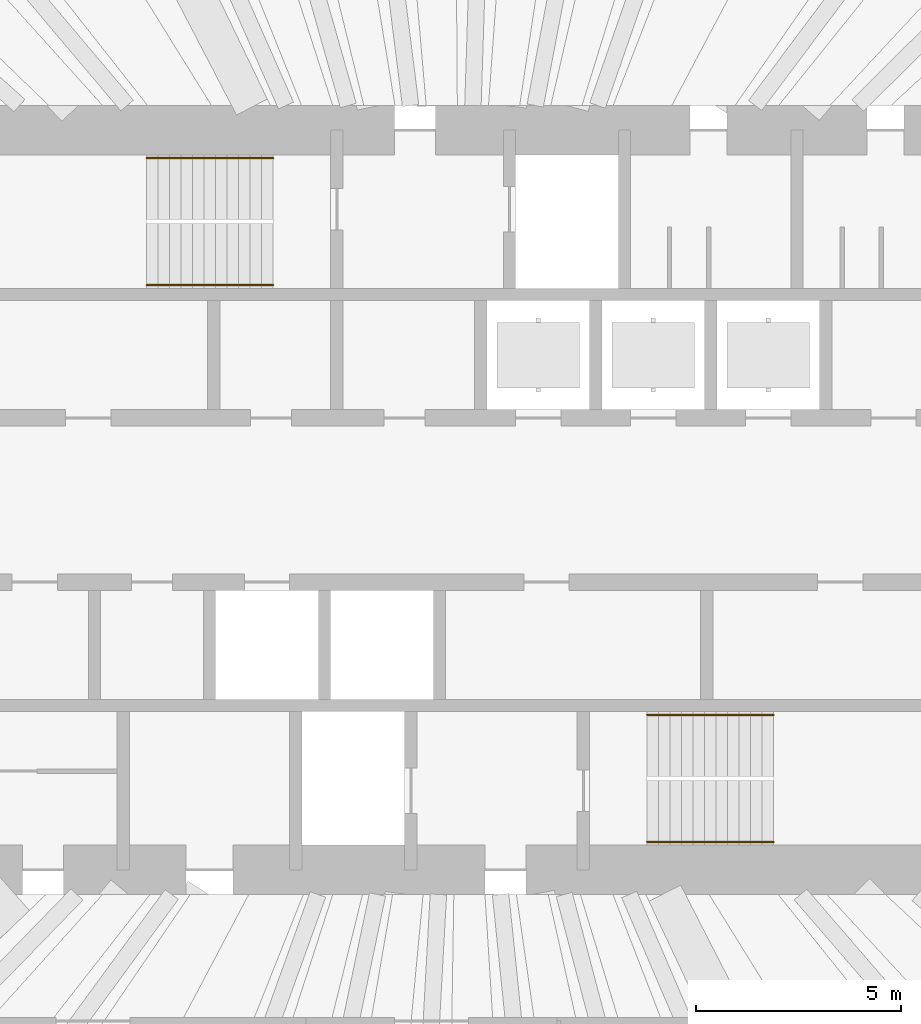
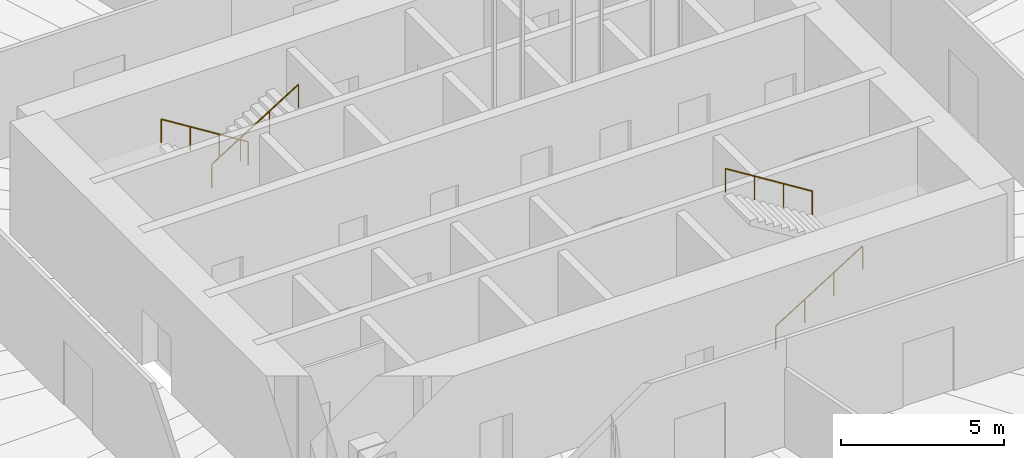
# One storey, part 13 of 20: 4 railings.
"""IFC4 building model written with IfcOpenShell, lengths in metres."""

from ifc_helpers import new_model, si_unit, direction, frame, origin, origin_2d, place, context, subcontext, project, spatial, circle, extrude, material, type_object, element, save


model = new_model("IFC4")

# Units and contexts
model_context = context("Model", 3, precision=1e-05, world=origin(), true_north=direction((0.0, 1.0)))
body_context = subcontext(model_context, "Body", "Model", "MODEL_VIEW")
ifc_project = project(units=[si_unit("LENGTHUNIT", "METRE"), si_unit("AREAUNIT", "SQUARE_METRE"), si_unit("VOLUMEUNIT", "CUBIC_METRE"), si_unit("PLANEANGLEUNIT", "RADIAN"), si_unit("MASSUNIT", "GRAM", prefix="KILO")], contexts=[model_context])

# Site, building, storey
site_placement = place(None, origin())
site = spatial("IfcSite", under=ifc_project, at=site_placement, CompositionType="ELEMENT")
building_placement = place(site_placement, origin())
building = spatial("IfcBuilding", under=site, at=building_placement, Name="Qingtian Harvest Tower", CompositionType="ELEMENT")
storey_placement = place(building_placement, frame((0.0, 0.0, 180.39990234375)))
storey = spatial("IfcBuildingStorey", under=building, at=storey_placement, Name="L38", CompositionType="ELEMENT", Elevation=180.39990234375)

# Railings
ifc_material = material(Name="Stainless steel handrail", Category="steel")
railing_type = type_object("IfcRailingType", Name="Handrail HR1", PredefinedType="HANDRAIL", material=ifc_material)
railing_1_placement = place(storey_placement, frame((-4.550048828125, 8.320068359375, 0.175048828125)))
element("IfcRailing", 1, at=railing_1_placement, inside=storey, type_object=railing_type, Name="Handrail HR1 S1 flight 1", PredefinedType="HANDRAIL", context=body_context, shape_type="SweptSolid", body=[
    extrude(circle(Radius=0.02392578125, at=origin_2d()), frame((0.0, 0.0, 0.8759765625), z_axis=(-0.847979421464, 0.0, 0.530029150871), x_axis=(0.0, -1.0, 0.0)), (0.0, 0.0, 1.0), 3.632080078125),
    extrude(circle(Radius=0.02099609375, at=origin_2d()), origin(), (0.0, 0.0, 1.0), 0.851806640625),
    extrude(circle(Radius=0.02099609375, at=origin_2d()), frame((-1.026611328125, 0.0, 0.6416015625)), (0.0, 0.0, 1.0), 0.851806640625),
    extrude(circle(Radius=0.02099609375, at=origin_2d()), frame((-2.05322265625, 0.0, 1.283447265625)), (0.0, 0.0, 1.0), 0.851806640625),
    extrude(circle(Radius=0.02099609375, at=origin_2d()), frame((-3.079833984375, 0.0, 1.925048828125)), (0.0, 0.0, 1.0), 0.851806640625),
])
for number, where, name in (
    (2, (-7.6298828125, 5.22998046875, 2.275146484375), "Handrail HR1 S1 flight 2"),
    (3, (4.550048828125, -8.320068359375, 0.175048828125), "Handrail HR1 S2 flight 1"),
):
    element("IfcRailing", number, at=place(storey_placement, frame(where)), inside=storey, type_object=railing_type, Name=name, PredefinedType="HANDRAIL", context=body_context, shape_type="SweptSolid", body=[
        extrude(circle(Radius=0.02392578125, at=origin_2d()), frame((0.0, 0.0, 0.8759765625), z_axis=(0.847979421464, 0.0, 0.530029150871), x_axis=(0.0, 1.0, 0.0)), (0.0, 0.0, 1.0), 3.632080078125),
        extrude(circle(Radius=0.02099609375, at=origin_2d()), origin(), (0.0, 0.0, 1.0), 0.851806640625),
        extrude(circle(Radius=0.02099609375, at=origin_2d()), frame((1.026611328125, 0.0, 0.6416015625)), (0.0, 0.0, 1.0), 0.851806640625),
        extrude(circle(Radius=0.02099609375, at=origin_2d()), frame((2.05322265625, 0.0, 1.283447265625)), (0.0, 0.0, 1.0), 0.851806640625),
        extrude(circle(Radius=0.02099609375, at=origin_2d()), frame((3.079833984375, 0.0, 1.925048828125)), (0.0, 0.0, 1.0), 0.851806640625),
    ])
railing_2_placement = place(storey_placement, frame((7.6298828125, -5.22998046875, 2.275146484375)))
element("IfcRailing", 4, at=railing_2_placement, inside=storey, type_object=railing_type, Name="Handrail HR1 S2 flight 2", PredefinedType="HANDRAIL", context=body_context, shape_type="SweptSolid", body=[
    extrude(circle(Radius=0.02392578125, at=origin_2d()), frame((0.0, 0.0, 0.8759765625), z_axis=(-0.847979421464, 0.0, 0.530029150871), x_axis=(0.0, -1.0, 0.0)), (0.0, 0.0, 1.0), 3.632080078125),
    extrude(circle(Radius=0.02099609375, at=origin_2d()), origin(), (0.0, 0.0, 1.0), 0.851806640625),
    extrude(circle(Radius=0.02099609375, at=origin_2d()), frame((-1.026611328125, 0.0, 0.6416015625)), (0.0, 0.0, 1.0), 0.851806640625),
    extrude(circle(Radius=0.02099609375, at=origin_2d()), frame((-2.05322265625, 0.0, 1.283447265625)), (0.0, 0.0, 1.0), 0.851806640625),
    extrude(circle(Radius=0.02099609375, at=origin_2d()), frame((-3.079833984375, 0.0, 1.925048828125)), (0.0, 0.0, 1.0), 0.851806640625),
])

save(model, "model.ifc")
